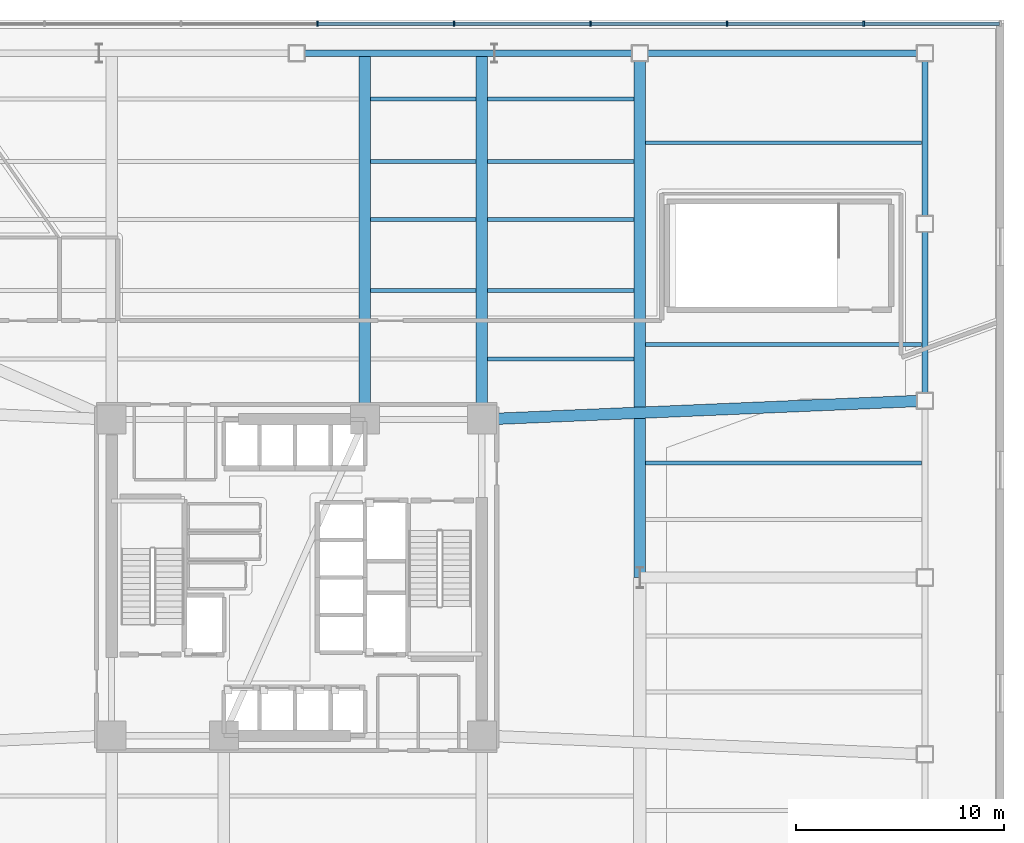
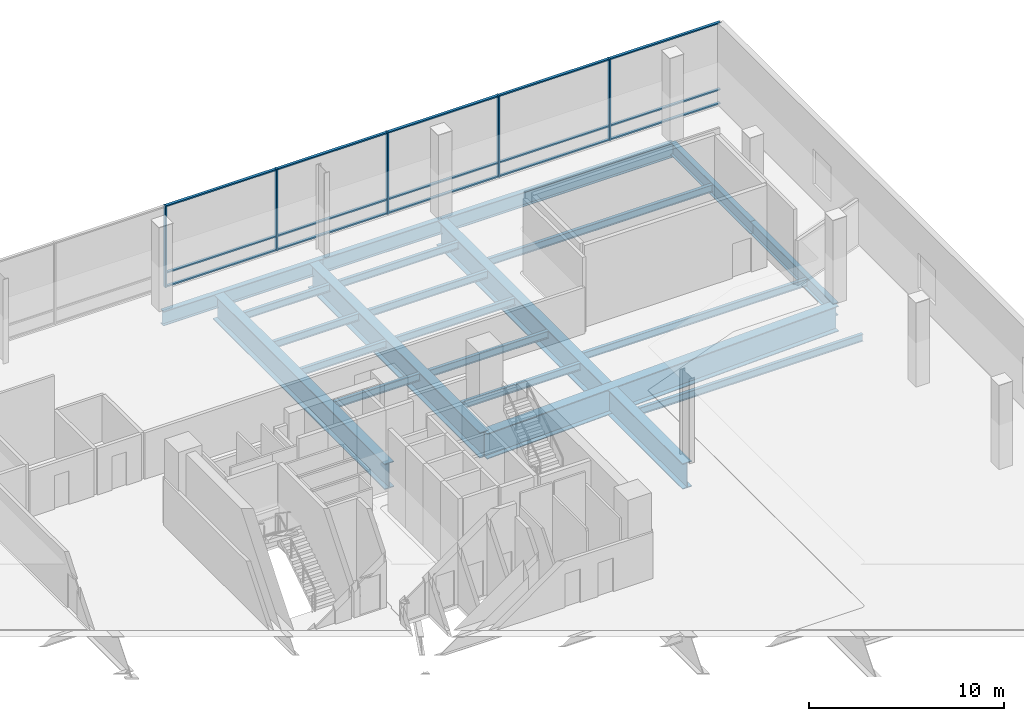
# One storey, part 7 of 19: 21 beams, 20 members, 1 element without a shape of its own.
"""IFC4 building model written with IfcOpenShell, lengths in metres."""

from ifc_helpers import new_model, si_unit, direction, frame, origin, origin_2d, place, context, subcontext, project, spatial, rectangle, i_section, extrude, material, layer, layer_set, material_profile, profile_set, type_object, element, aggregate, save


model = new_model("IFC4")

# Units and contexts
model_context = context("Model", 3, precision=1e-05, world=origin(), true_north=direction((0.0, 1.0)))
body_context = subcontext(model_context, "Body", "Model", "MODEL_VIEW")
ifc_project = project(units=[si_unit("LENGTHUNIT", "METRE"), si_unit("AREAUNIT", "SQUARE_METRE"), si_unit("VOLUMEUNIT", "CUBIC_METRE"), si_unit("PLANEANGLEUNIT", "RADIAN"), si_unit("MASSUNIT", "GRAM", prefix="KILO")], contexts=[model_context])

# Site, building, storey
site_placement = place(None, origin())
site = spatial("IfcSite", under=ifc_project, at=site_placement, CompositionType="ELEMENT")
building_placement = place(site_placement, origin())
building = spatial("IfcBuilding", under=site, at=building_placement, Name="Tharavind Bronze Gate", CompositionType="ELEMENT")
storey_placement = place(building_placement, frame((0.0, 0.0, 26.5)))
storey = spatial("IfcBuildingStorey", under=building, at=storey_placement, Name="L05", CompositionType="ELEMENT", Elevation=26.5)

# Curtain wall, members
ifc_material_1 = material(Name="Anodised Bronze Aluminium", Category="aluminium")
ifc_layer = layer(ifc_material_1, 0.219970703125)
ifc_layer_set = layer_set([ifc_layer], Name="Anodised Bronze Aluminium")
curtain_wall_type = type_object("IfcCurtainWallType", Name="UNITISED CURTAIN WALL PODIUM", PredefinedType="USERDEFINED", material=ifc_layer_set)
curtain_wall_placement = place(storey_placement, origin())
curtain_wall = element("IfcCurtainWall", 1, at=curtain_wall_placement, inside=storey, type_object=curtain_wall_type, Name="L05 unitised curtain wall podium CW-L05-S2", ObjectType="UNITISED CURTAIN WALL", PredefinedType="USERDEFINED")
member_type_1 = type_object("IfcMemberType", Name="CURTAIN WALL MULLION 80X220", PredefinedType="MULLION", material=ifc_material_1)
member_1_placement = place(storey_placement, frame((27.256103515625, 26.6201171875, 0.0), z_axis=(0.0, 0.0, 1.0), x_axis=(-1.0, 0.0, 0.0)))
member_1 = element("IfcMember", 2, at=member_1_placement, type_object=member_type_1, Name="CW-L05-S2 mullion 2", PredefinedType="MULLION", context=body_context, shape_type="SweptSolid", body=[
    extrude(rectangle(XDim=0.080078125, YDim=0.219970703125, at=origin_2d()), origin(), (0.0, 0.0, 1.0), 5.10498046875),
])
member_2_placement = place(storey_placement, frame((20.69189453125, 26.6201171875, 0.0), z_axis=(0.0, 0.0, 1.0), x_axis=(-1.0, 0.0, 0.0)))
member_2 = element("IfcMember", 3, at=member_2_placement, type_object=member_type_1, Name="CW-L05-S2 mullion 3", PredefinedType="MULLION", context=body_context, shape_type="SweptSolid", body=[
    extrude(rectangle(XDim=0.080078125, YDim=0.219970703125, at=origin_2d()), origin(), (0.0, 0.0, 1.0), 5.10498046875),
])
member_3_placement = place(storey_placement, frame((14.1279296875, 26.6201171875, 0.0), z_axis=(0.0, 0.0, 1.0), x_axis=(-1.0, 0.0, 0.0)))
member_3 = element("IfcMember", 4, at=member_3_placement, type_object=member_type_1, Name="CW-L05-S2 mullion 4", PredefinedType="MULLION", context=body_context, shape_type="SweptSolid", body=[
    extrude(rectangle(XDim=0.080078125, YDim=0.219970703125, at=origin_2d()), origin(), (0.0, 0.0, 1.0), 5.10498046875),
])
member_4_placement = place(storey_placement, frame((7.56396484375, 26.6201171875, 0.0), z_axis=(0.0, 0.0, 1.0), x_axis=(-1.0, 0.0, 0.0)))
member_4 = element("IfcMember", 5, at=member_4_placement, type_object=member_type_1, Name="CW-L05-S2 mullion 5", PredefinedType="MULLION", context=body_context, shape_type="SweptSolid", body=[
    extrude(rectangle(XDim=0.080078125, YDim=0.219970703125, at=origin_2d()), origin(), (0.0, 0.0, 1.0), 5.10498046875),
])
member_5_placement = place(storey_placement, frame((1.0, 26.6201171875, 0.0), z_axis=(0.0, 0.0, 1.0), x_axis=(-1.0, 0.0, 0.0)))
member_5 = element("IfcMember", 6, at=member_5_placement, type_object=member_type_1, Name="CW-L05-S2 mullion 6", PredefinedType="MULLION", context=body_context, shape_type="SweptSolid", body=[
    extrude(rectangle(XDim=0.080078125, YDim=0.219970703125, at=origin_2d()), origin(), (0.0, 0.0, 1.0), 5.10498046875),
])
member_type_2 = type_object("IfcMemberType", Name="CURTAIN WALL TRANSOM 80X160", PredefinedType="USERDEFINED", material=ifc_material_1)
member_6_placement = place(storey_placement, frame((30.5380859375, 26.6201171875, 0.0), z_axis=(0.0, 0.0, 1.0), x_axis=(-1.0, 0.0, 0.0)))
member_6 = element("IfcMember", 7, at=member_6_placement, type_object=member_type_2, Name="CW-L05-S2 transom TB1", ObjectType="TRANSOM", PredefinedType="USERDEFINED", context=body_context, shape_type="SweptSolid", body=[
    extrude(rectangle(XDim=6.49609375, YDim=0.159912109375, at=origin_2d()), origin(), (0.0, 0.0, 1.0), 0.080078125),
])
member_7_placement = place(storey_placement, frame((30.5380859375, 26.6201171875, 0.85986328125), z_axis=(0.0, 0.0, 1.0), x_axis=(-1.0, 0.0, 0.0)))
member_7 = element("IfcMember", 8, at=member_7_placement, type_object=member_type_2, Name="CW-L05-S2 transom TS1", ObjectType="TRANSOM", PredefinedType="USERDEFINED", context=body_context, shape_type="SweptSolid", body=[
    extrude(rectangle(XDim=6.49609375, YDim=0.159912109375, at=origin_2d()), origin(), (0.0, 0.0, 1.0), 0.080078125),
])
member_8_placement = place(storey_placement, frame((30.5380859375, 26.6201171875, 5.02490234375), z_axis=(0.0, 0.0, 1.0), x_axis=(-1.0, 0.0, 0.0)))
member_8 = element("IfcMember", 9, at=member_8_placement, type_object=member_type_2, Name="CW-L05-S2 transom TT1", ObjectType="TRANSOM", PredefinedType="USERDEFINED", context=body_context, shape_type="SweptSolid", body=[
    extrude(rectangle(XDim=6.49609375, YDim=0.159912109375, at=origin_2d()), origin(), (0.0, 0.0, 1.0), 0.080078125),
])
member_9_placement = place(storey_placement, frame((23.97412109375, 26.6201171875, 0.0), z_axis=(0.0, 0.0, 1.0), x_axis=(-1.0, 0.0, 0.0)))
member_9 = element("IfcMember", 10, at=member_9_placement, type_object=member_type_2, Name="CW-L05-S2 transom TB2", ObjectType="TRANSOM", PredefinedType="USERDEFINED", context=body_context, shape_type="SweptSolid", body=[
    extrude(rectangle(XDim=6.49609375, YDim=0.159912109375, at=origin_2d()), origin(), (0.0, 0.0, 1.0), 0.080078125),
])
member_10_placement = place(storey_placement, frame((23.97412109375, 26.6201171875, 0.85986328125), z_axis=(0.0, 0.0, 1.0), x_axis=(-1.0, 0.0, 0.0)))
member_10 = element("IfcMember", 11, at=member_10_placement, type_object=member_type_2, Name="CW-L05-S2 transom TS2", ObjectType="TRANSOM", PredefinedType="USERDEFINED", context=body_context, shape_type="SweptSolid", body=[
    extrude(rectangle(XDim=6.49609375, YDim=0.159912109375, at=origin_2d()), origin(), (0.0, 0.0, 1.0), 0.080078125),
])
member_11_placement = place(storey_placement, frame((23.97412109375, 26.6201171875, 5.02490234375), z_axis=(0.0, 0.0, 1.0), x_axis=(-1.0, 0.0, 0.0)))
member_11 = element("IfcMember", 12, at=member_11_placement, type_object=member_type_2, Name="CW-L05-S2 transom TT2", ObjectType="TRANSOM", PredefinedType="USERDEFINED", context=body_context, shape_type="SweptSolid", body=[
    extrude(rectangle(XDim=6.49609375, YDim=0.159912109375, at=origin_2d()), origin(), (0.0, 0.0, 1.0), 0.080078125),
])
member_12_placement = place(storey_placement, frame((17.409912109375, 26.6201171875, 0.0), z_axis=(0.0, 0.0, 1.0), x_axis=(-1.0, 0.0, 0.0)))
member_12 = element("IfcMember", 13, at=member_12_placement, type_object=member_type_2, Name="CW-L05-S2 transom TB3", ObjectType="TRANSOM", PredefinedType="USERDEFINED", context=body_context, shape_type="SweptSolid", body=[
    extrude(rectangle(XDim=6.49609375, YDim=0.159912109375, at=origin_2d()), origin(), (0.0, 0.0, 1.0), 0.080078125),
])
member_13_placement = place(storey_placement, frame((17.409912109375, 26.6201171875, 0.85986328125), z_axis=(0.0, 0.0, 1.0), x_axis=(-1.0, 0.0, 0.0)))
member_13 = element("IfcMember", 14, at=member_13_placement, type_object=member_type_2, Name="CW-L05-S2 transom TS3", ObjectType="TRANSOM", PredefinedType="USERDEFINED", context=body_context, shape_type="SweptSolid", body=[
    extrude(rectangle(XDim=6.49609375, YDim=0.159912109375, at=origin_2d()), origin(), (0.0, 0.0, 1.0), 0.080078125),
])
member_14_placement = place(storey_placement, frame((17.409912109375, 26.6201171875, 5.02490234375), z_axis=(0.0, 0.0, 1.0), x_axis=(-1.0, 0.0, 0.0)))
member_14 = element("IfcMember", 15, at=member_14_placement, type_object=member_type_2, Name="CW-L05-S2 transom TT3", ObjectType="TRANSOM", PredefinedType="USERDEFINED", context=body_context, shape_type="SweptSolid", body=[
    extrude(rectangle(XDim=6.49609375, YDim=0.159912109375, at=origin_2d()), origin(), (0.0, 0.0, 1.0), 0.080078125),
])
member_15_placement = place(storey_placement, frame((10.845947265625, 26.6201171875, 0.0), z_axis=(0.0, 0.0, 1.0), x_axis=(-1.0, 0.0, 0.0)))
member_15 = element("IfcMember", 16, at=member_15_placement, type_object=member_type_2, Name="CW-L05-S2 transom TB4", ObjectType="TRANSOM", PredefinedType="USERDEFINED", context=body_context, shape_type="SweptSolid", body=[
    extrude(rectangle(XDim=6.49609375, YDim=0.159912109375, at=origin_2d()), origin(), (0.0, 0.0, 1.0), 0.080078125),
])
member_16_placement = place(storey_placement, frame((10.845947265625, 26.6201171875, 0.85986328125), z_axis=(0.0, 0.0, 1.0), x_axis=(-1.0, 0.0, 0.0)))
member_16 = element("IfcMember", 17, at=member_16_placement, type_object=member_type_2, Name="CW-L05-S2 transom TS4", ObjectType="TRANSOM", PredefinedType="USERDEFINED", context=body_context, shape_type="SweptSolid", body=[
    extrude(rectangle(XDim=6.49609375, YDim=0.159912109375, at=origin_2d()), origin(), (0.0, 0.0, 1.0), 0.080078125),
])
member_17_placement = place(storey_placement, frame((10.845947265625, 26.6201171875, 5.02490234375), z_axis=(0.0, 0.0, 1.0), x_axis=(-1.0, 0.0, 0.0)))
member_17 = element("IfcMember", 18, at=member_17_placement, type_object=member_type_2, Name="CW-L05-S2 transom TT4", ObjectType="TRANSOM", PredefinedType="USERDEFINED", context=body_context, shape_type="SweptSolid", body=[
    extrude(rectangle(XDim=6.49609375, YDim=0.159912109375, at=origin_2d()), origin(), (0.0, 0.0, 1.0), 0.080078125),
])
member_18_placement = place(storey_placement, frame((4.281982421875, 26.6201171875, 0.0), z_axis=(0.0, 0.0, 1.0), x_axis=(-1.0, 0.0, 0.0)))
member_18 = element("IfcMember", 19, at=member_18_placement, type_object=member_type_2, Name="CW-L05-S2 transom TB5", ObjectType="TRANSOM", PredefinedType="USERDEFINED", context=body_context, shape_type="SweptSolid", body=[
    extrude(rectangle(XDim=6.49609375, YDim=0.159912109375, at=origin_2d()), origin(), (0.0, 0.0, 1.0), 0.080078125),
])
member_19_placement = place(storey_placement, frame((4.281982421875, 26.6201171875, 0.85986328125), z_axis=(0.0, 0.0, 1.0), x_axis=(-1.0, 0.0, 0.0)))
member_19 = element("IfcMember", 20, at=member_19_placement, type_object=member_type_2, Name="CW-L05-S2 transom TS5", ObjectType="TRANSOM", PredefinedType="USERDEFINED", context=body_context, shape_type="SweptSolid", body=[
    extrude(rectangle(XDim=6.49609375, YDim=0.159912109375, at=origin_2d()), origin(), (0.0, 0.0, 1.0), 0.080078125),
])
member_20_placement = place(storey_placement, frame((4.281982421875, 26.6201171875, 5.02490234375), z_axis=(0.0, 0.0, 1.0), x_axis=(-1.0, 0.0, 0.0)))
member_20 = element("IfcMember", 21, at=member_20_placement, type_object=member_type_2, Name="CW-L05-S2 transom TT5", ObjectType="TRANSOM", PredefinedType="USERDEFINED", context=body_context, shape_type="SweptSolid", body=[
    extrude(rectangle(XDim=6.49609375, YDim=0.159912109375, at=origin_2d()), origin(), (0.0, 0.0, 1.0), 0.080078125),
])
aggregate(curtain_wall, [member_1, member_2, member_3, member_4, member_5, member_6, member_7, member_8, member_9, member_10, member_11, member_12, member_13, member_14, member_15, member_16, member_17, member_18, member_19, member_20])

# Beams
ifc_material_2 = material(Name="Steel S355", Category="steel")
ifc_material_profile_1 = material_profile(ifc_material_2, i_section(OverallWidth=0.300048828125, OverallDepth=0.800048828125, WebThickness=0.017578125, FlangeThickness=0.032958984375, at=origin_2d()), Name="HE800B")
ifc_profile_set_1 = profile_set([ifc_material_profile_1], Name="Steel S355")
beam_type_1 = type_object("IfcBeamType", Name="RING GIRDER HE800B", PredefinedType="USERDEFINED", material=ifc_profile_set_1)
beam_1_placement = place(storey_placement, frame((30.199951171875, 8.5, -0.659912109375), z_axis=(0.0, 1.0, 0.0), x_axis=(-1.0, 0.0, 0.0)))
element("IfcBeam", 22, at=beam_1_placement, inside=storey, type_object=beam_type_1, Name="L05 ring girder he800b BM-L05-PE5", ObjectType="GIRDER", PredefinedType="USERDEFINED", context=body_context, shape_type="SweptSolid", body=[
    extrude(i_section(OverallWidth=0.300048828125, OverallDepth=0.800048828125, WebThickness=0.017578125, FlangeThickness=0.032958984375, at=origin_2d()), origin(), (0.0, 0.0, 1.0), 8.5),
])
beam_2_placement = place(storey_placement, frame((30.199951171875, 17.0, -0.659912109375), z_axis=(0.0, 1.0, 0.0), x_axis=(-1.0, 0.0, 0.0)))
element("IfcBeam", 23, at=beam_2_placement, inside=storey, type_object=beam_type_1, Name="L05 ring girder he800b BM-L05-PE6", ObjectType="GIRDER", PredefinedType="USERDEFINED", context=body_context, shape_type="SweptSolid", body=[
    extrude(i_section(OverallWidth=0.300048828125, OverallDepth=0.800048828125, WebThickness=0.017578125, FlangeThickness=0.032958984375, at=origin_2d()), origin(), (0.0, 0.0, 1.0), 8.199951171875),
])
ifc_material_profile_2 = material_profile(ifc_material_2, i_section(OverallWidth=0.18994140625, OverallDepth=0.449951171875, WebThickness=0.009521484375, FlangeThickness=0.0146484375, at=origin_2d()), Name="IPE450")
ifc_profile_set_2 = profile_set([ifc_material_profile_2], Name="Steel S355")
beam_type_2 = type_object("IfcBeamType", Name="SECONDARY FLOOR JOIST IPE450", PredefinedType="JOIST", material=ifc_profile_set_2)
beam_3_placement = place(storey_placement, frame((9.177001953125, 10.5, -0.485107421875), z_axis=(1.0, 0.0, 0.0), x_axis=(0.0, 1.0, 0.0)))
element("IfcBeam", 24, at=beam_3_placement, inside=storey, type_object=beam_type_2, Name="L05 secondary floor joist ipe450 BM-L05-JSN1E", PredefinedType="JOIST", context=body_context, shape_type="SweptSolid", body=[
    extrude(i_section(OverallWidth=0.18994140625, OverallDepth=0.449951171875, WebThickness=0.009521484375, FlangeThickness=0.0146484375, at=origin_2d()), origin(), (0.0, 0.0, 1.0), 7.0458984375),
])
beam_4_placement = place(storey_placement, frame((3.556884765625, 13.800048828125, -0.485107421875), z_axis=(1.0, 0.0, 0.0), x_axis=(0.0, 1.0, 0.0)))
element("IfcBeam", 25, at=beam_4_placement, inside=storey, type_object=beam_type_2, Name="L05 secondary floor joist ipe450 BM-L05-JSN2B", PredefinedType="JOIST", context=body_context, shape_type="SweptSolid", body=[
    extrude(i_section(OverallWidth=0.18994140625, OverallDepth=0.449951171875, WebThickness=0.009521484375, FlangeThickness=0.0146484375, at=origin_2d()), origin(), (0.0, 0.0, 1.0), 5.066162109375),
])
beam_5_placement = place(storey_placement, frame((9.177001953125, 13.800048828125, -0.485107421875), z_axis=(1.0, 0.0, 0.0), x_axis=(0.0, 1.0, 0.0)))
element("IfcBeam", 26, at=beam_5_placement, inside=storey, type_object=beam_type_2, Name="L05 secondary floor joist ipe450 BM-L05-JSN2E", PredefinedType="JOIST", context=body_context, shape_type="SweptSolid", body=[
    extrude(i_section(OverallWidth=0.18994140625, OverallDepth=0.449951171875, WebThickness=0.009521484375, FlangeThickness=0.0146484375, at=origin_2d()), origin(), (0.0, 0.0, 1.0), 7.0458984375),
])
beam_6_placement = place(storey_placement, frame((3.556884765625, 17.199951171875, -0.485107421875), z_axis=(1.0, 0.0, 0.0), x_axis=(0.0, 1.0, 0.0)))
element("IfcBeam", 27, at=beam_6_placement, inside=storey, type_object=beam_type_2, Name="L05 secondary floor joist ipe450 BM-L05-JSN3B", PredefinedType="JOIST", context=body_context, shape_type="SweptSolid", body=[
    extrude(i_section(OverallWidth=0.18994140625, OverallDepth=0.449951171875, WebThickness=0.009521484375, FlangeThickness=0.0146484375, at=origin_2d()), origin(), (0.0, 0.0, 1.0), 5.066162109375),
])
beam_7_placement = place(storey_placement, frame((9.177001953125, 17.199951171875, -0.485107421875), z_axis=(1.0, 0.0, 0.0), x_axis=(0.0, 1.0, 0.0)))
element("IfcBeam", 28, at=beam_7_placement, inside=storey, type_object=beam_type_2, Name="L05 secondary floor joist ipe450 BM-L05-JSN3E", PredefinedType="JOIST", context=body_context, shape_type="SweptSolid", body=[
    extrude(i_section(OverallWidth=0.18994140625, OverallDepth=0.449951171875, WebThickness=0.009521484375, FlangeThickness=0.0146484375, at=origin_2d()), origin(), (0.0, 0.0, 1.0), 7.0458984375),
])
beam_8_placement = place(storey_placement, frame((3.556884765625, 20.0, -0.485107421875), z_axis=(1.0, 0.0, 0.0), x_axis=(0.0, 1.0, 0.0)))
element("IfcBeam", 29, at=beam_8_placement, inside=storey, type_object=beam_type_2, Name="L05 secondary floor joist ipe450 BM-L05-JSN4B", PredefinedType="JOIST", context=body_context, shape_type="SweptSolid", body=[
    extrude(i_section(OverallWidth=0.18994140625, OverallDepth=0.449951171875, WebThickness=0.009521484375, FlangeThickness=0.0146484375, at=origin_2d()), origin(), (0.0, 0.0, 1.0), 5.066162109375),
])
beam_9_placement = place(storey_placement, frame((9.177001953125, 20.0, -0.485107421875), z_axis=(1.0, 0.0, 0.0), x_axis=(0.0, 1.0, 0.0)))
element("IfcBeam", 30, at=beam_9_placement, inside=storey, type_object=beam_type_2, Name="L05 secondary floor joist ipe450 BM-L05-JSN4E", PredefinedType="JOIST", context=body_context, shape_type="SweptSolid", body=[
    extrude(i_section(OverallWidth=0.18994140625, OverallDepth=0.449951171875, WebThickness=0.009521484375, FlangeThickness=0.0146484375, at=origin_2d()), origin(), (0.0, 0.0, 1.0), 7.0458984375),
])
beam_10_placement = place(storey_placement, frame((3.556884765625, 23.0, -0.485107421875), z_axis=(1.0, 0.0, 0.0), x_axis=(0.0, 1.0, 0.0)))
element("IfcBeam", 31, at=beam_10_placement, inside=storey, type_object=beam_type_2, Name="L05 secondary floor joist ipe450 BM-L05-JSN5B", PredefinedType="JOIST", context=body_context, shape_type="SweptSolid", body=[
    extrude(i_section(OverallWidth=0.18994140625, OverallDepth=0.449951171875, WebThickness=0.009521484375, FlangeThickness=0.0146484375, at=origin_2d()), origin(), (0.0, 0.0, 1.0), 5.066162109375),
])
beam_11_placement = place(storey_placement, frame((9.177001953125, 23.0, -0.485107421875), z_axis=(1.0, 0.0, 0.0), x_axis=(0.0, 1.0, 0.0)))
element("IfcBeam", 32, at=beam_11_placement, inside=storey, type_object=beam_type_2, Name="L05 secondary floor joist ipe450 BM-L05-JSN5E", PredefinedType="JOIST", context=body_context, shape_type="SweptSolid", body=[
    extrude(i_section(OverallWidth=0.18994140625, OverallDepth=0.449951171875, WebThickness=0.009521484375, FlangeThickness=0.0146484375, at=origin_2d()), origin(), (0.0, 0.0, 1.0), 7.0458984375),
])
for number, where, z_axis, x_axis, name in (
    (33, (16.777099609375, 5.5, -0.485107421875), (1.0, 0.0, 0.0), (0.0, 1.0, 0.0), "L05 secondary floor joist ipe450 BM-L05-JSEE7"),
    (34, (16.777099609375, 11.199951171875, -0.485107421875), (1.0, 0.0, 0.0), (0.0, 1.0, 0.0), "L05 secondary floor joist ipe450 BM-L05-JSEE8"),
    (35, (16.777099609375, 20.89990234375, -0.485107421875), (1.0, 0.0, 0.0), (0.0, 1.0, 0.0), "L05 secondary floor joist ipe450 BM-L05-JSEE9"),
):
    element("IfcBeam", number, at=place(storey_placement, frame(where, z_axis=z_axis, x_axis=x_axis)), inside=storey, type_object=beam_type_2, Name=name, PredefinedType="JOIST", context=body_context, shape_type="SweptSolid", body=[
        extrude(i_section(OverallWidth=0.18994140625, OverallDepth=0.449951171875, WebThickness=0.009521484375, FlangeThickness=0.0146484375, at=origin_2d()), origin(), (0.0, 0.0, 1.0), 13.262939453125),
    ])
ifc_material_profile_3 = material_profile(ifc_material_2, i_section(OverallWidth=0.300048828125, OverallDepth=0.89990234375, WebThickness=0.0185546875, FlangeThickness=0.034912109375, at=origin_2d()), Name="HE900B")
ifc_profile_set_3 = profile_set([ifc_material_profile_3], Name="Steel S355")
beam_type_3 = type_object("IfcBeamType", Name="SPANDREL RING BEAM HE900B", PredefinedType="SPANDREL", material=ifc_profile_set_3)
beam_12_placement = place(storey_placement, frame((0.0, 25.199951171875, -0.7099609375), z_axis=(1.0, 0.0, 0.0), x_axis=(0.0, 1.0, 0.0)))
element("IfcBeam", 36, at=beam_12_placement, inside=storey, type_object=beam_type_3, Name="L05 spandrel ring beam he900b BM-L05-PN4", PredefinedType="SPANDREL", context=body_context, shape_type="SweptSolid", body=[
    extrude(i_section(OverallWidth=0.300048828125, OverallDepth=0.89990234375, WebThickness=0.0185546875, FlangeThickness=0.034912109375, at=origin_2d()), origin(), (0.0, 0.0, 1.0), 9.5),
])
beam_13_placement = place(storey_placement, frame((9.5, 25.199951171875, -0.7099609375), z_axis=(1.0, 0.0, 0.0), x_axis=(0.0, 1.0, 0.0)))
element("IfcBeam", 37, at=beam_13_placement, inside=storey, type_object=beam_type_3, Name="L05 spandrel ring beam he900b BM-L05-PN5", PredefinedType="SPANDREL", context=body_context, shape_type="SweptSolid", body=[
    extrude(i_section(OverallWidth=0.300048828125, OverallDepth=0.89990234375, WebThickness=0.0185546875, FlangeThickness=0.034912109375, at=origin_2d()), origin(), (0.0, 0.0, 1.0), 7.0),
])
beam_14_placement = place(storey_placement, frame((16.5, 25.199951171875, -0.7099609375), z_axis=(1.0, 0.0, 0.0), x_axis=(0.0, 1.0, 0.0)))
element("IfcBeam", 38, at=beam_14_placement, inside=storey, type_object=beam_type_3, Name="L05 spandrel ring beam he900b BM-L05-PN6", PredefinedType="SPANDREL", context=body_context, shape_type="SweptSolid", body=[
    extrude(i_section(OverallWidth=0.300048828125, OverallDepth=0.89990234375, WebThickness=0.0185546875, FlangeThickness=0.034912109375, at=origin_2d()), origin(), (0.0, 0.0, 1.0), 13.699951171875),
])
ifc_material_3 = material(Name="Steel S460", Category="steel")
ifc_material_profile_4 = material_profile(ifc_material_3, i_section(OverallWidth=0.550048828125, OverallDepth=1.60009765625, WebThickness=0.030029296875, FlangeThickness=0.050048828125, at=origin_2d()), Name="PG1600X550")
ifc_profile_set_4 = profile_set([ifc_material_profile_4], Name="Steel S460")
beam_type_4 = type_object("IfcBeamType", Name="TRANSFER GIRDER 1600X550", PredefinedType="USERDEFINED", material=ifc_profile_set_4)
beam_15_placement = place(storey_placement, frame((16.5, 0.0, -1.06005859375), z_axis=(0.0, 1.0, 0.0), x_axis=(-1.0, 0.0, 0.0)))
element("IfcBeam", 39, at=beam_15_placement, inside=storey, type_object=beam_type_4, Name="L05 transfer girder 1600x550 BM-L05-GS5N", ObjectType="TRANSFER GIRDER", PredefinedType="USERDEFINED", context=body_context, shape_type="SweptSolid", body=[
    extrude(i_section(OverallWidth=0.550048828125, OverallDepth=1.60009765625, WebThickness=0.030029296875, FlangeThickness=0.050048828125, at=origin_2d()), origin(), (0.0, 0.0, 1.0), 25.199951171875),
])
for number, where, z_axis, x_axis, name in (
    (40, (3.280029296875, 25.199951171875, -1.06005859375), (0.0, -1.0, 0.0), (1.0, 0.0, 0.0), "L05 transfer girder 1600x550 BM-L05-GN3"),
    (41, (8.89990234375, 25.199951171875, -1.06005859375), (0.0, -1.0, 0.0), (1.0, 0.0, 0.0), "L05 transfer girder 1600x550 BM-L05-GN4"),
):
    element("IfcBeam", number, at=place(storey_placement, frame(where, z_axis=z_axis, x_axis=x_axis)), inside=storey, type_object=beam_type_4, Name=name, ObjectType="TRANSFER GIRDER", PredefinedType="USERDEFINED", context=body_context, shape_type="SweptSolid", body=[
        extrude(i_section(OverallWidth=0.550048828125, OverallDepth=1.60009765625, WebThickness=0.030029296875, FlangeThickness=0.050048828125, at=origin_2d()), origin(), (0.0, 0.0, 1.0), 17.599853515625),
    ])
beam_16_placement = place(storey_placement, frame((30.199951171875, 8.5, -1.06005859375), z_axis=(-0.999108710794, -0.04221118354, 0.0), x_axis=(0.04221118354, -0.999108710794, 0.0)))
element("IfcBeam", 42, at=beam_16_placement, inside=storey, type_object=beam_type_4, Name="L05 transfer girder 1600x550 BM-L05-GE2", ObjectType="TRANSFER GIRDER", PredefinedType="USERDEFINED", context=body_context, shape_type="SweptSolid", body=[
    extrude(i_section(OverallWidth=0.550048828125, OverallDepth=1.60009765625, WebThickness=0.030029296875, FlangeThickness=0.050048828125, at=origin_2d()), origin(), (0.0, 0.0, 1.0), 21.319091796875),
])

save(model, "model.ifc")
